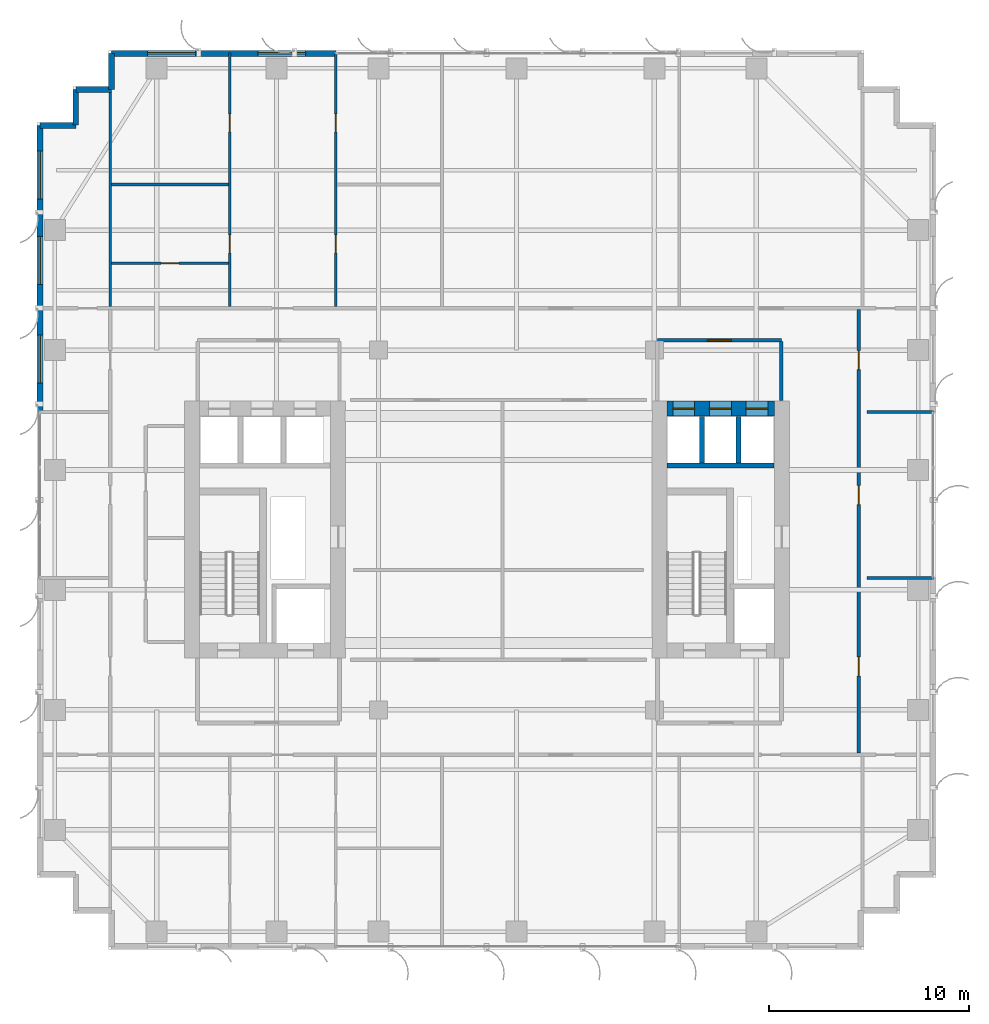
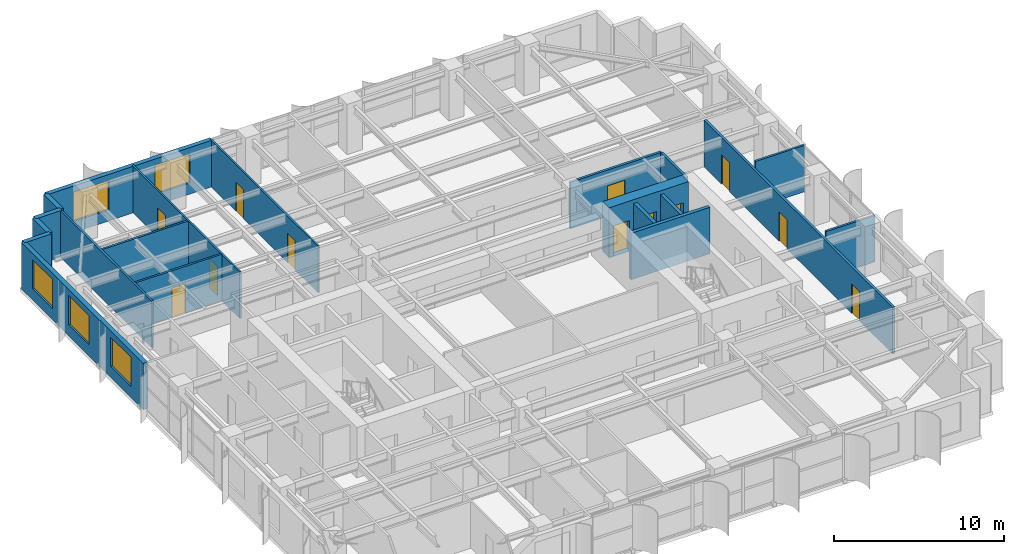
# One storey, part 22 of 26: 20 walls, 12 doors, 5 windows, 17 openings.
"""IFC4 building model written with IfcOpenShell, lengths in metres."""

import ifcopenshell
import ifcopenshell.guid

model = None  # the IFC model being written
_history = None  # IfcOwnerHistory: only IFC2X3 demands one
_inside = {}  # id of a spatial element -> (the spatial element, [elements in it])
_under = {}  # id of a project, library or spatial element -> (it, [spatial elements below it])
_declared = {}  # id of a project -> (the project, [libraries it declares])
_typed = {}  # id of a type object -> (the type object, [elements of that type])
_made_of = {}  # id of a material, layer set ... -> (it, [elements and type objects made of it])


def new_model(schema):
    """Start an empty IFC model of exactly this schema.

    Asked for "IFC4X3", IfcOpenShell would pick the latest addendum, in which some entities
    have other attributes; the version numbers below select the first issue.
    IFC2X3 requires an IfcOwnerHistory on every rooted entity: one is made here for all.
    """
    global model, _history
    if schema == "IFC4X3":
        model = ifcopenshell.file(schema_version=(4, 3, 0, 0))
    else:
        model = ifcopenshell.file(schema=schema)
    _inside.clear()
    _under.clear()
    _declared.clear()
    _typed.clear()
    _made_of.clear()
    _history = None
    if model.schema == "IFC2X3":
        org = make("IfcOrganization", Name="unknown")
        user = make(
            "IfcPersonAndOrganization",
            ThePerson=make("IfcPerson", FamilyName="unknown"),
            TheOrganization=org,
        )
        app = make(
            "IfcApplication",
            ApplicationDeveloper=org,
            Version="unknown",
            ApplicationFullName="unknown",
            ApplicationIdentifier="unknown",
        )
        _history = make(
            "IfcOwnerHistory",
            OwningUser=user,
            OwningApplication=app,
            ChangeAction="ADDED",
            CreationDate=0,
        )
    return model


def make(cls, **values):
    """One entity of the class cls with the attributes given. An attribute that is None is left unset."""
    return model.create_entity(
        cls, **{name: value for name, value in values.items() if value is not None}
    )


def rooted(cls, **values):
    """An entity with a GlobalId (a new one), such as an element, a storey or a relation."""
    return make(cls, GlobalId=ifcopenshell.guid.new(), OwnerHistory=_history, **values)


def si_unit(unit_type, name, prefix=None):
    """IfcSIUnit, for example si_unit("LENGTHUNIT", "METRE", prefix="MILLI")."""
    return make("IfcSIUnit", UnitType=unit_type, Prefix=prefix, Name=name)


def assignment(units):
    """IfcUnitAssignment: the units of a project."""
    return None if units is None else make("IfcUnitAssignment", Units=units)


def point(xyz):
    """IfcCartesianPoint."""
    return None if xyz is None else make("IfcCartesianPoint", Coordinates=xyz)


def direction(xyz):
    """IfcDirection."""
    return None if xyz is None else make("IfcDirection", DirectionRatios=xyz)


def frame(location, z_axis=None, x_axis=None):
    """IfcAxis2Placement3D, a coordinate frame: its origin and axes. An axis left out is left unset."""
    return make(
        "IfcAxis2Placement3D",
        Location=point(location),
        Axis=direction(z_axis),
        RefDirection=direction(x_axis),
    )


def frame_2d(location, x_axis=None):
    """IfcAxis2Placement2D, a coordinate frame in the plane: its origin and x axis."""
    return make(
        "IfcAxis2Placement2D", Location=point(location), RefDirection=direction(x_axis)
    )


def origin():
    """The frame at (0, 0, 0) with its axes left unset."""
    return frame((0.0, 0.0, 0.0))


def place(relative_to, where):
    """IfcLocalPlacement: puts the frame where relative to a parent placement (None: the world)."""
    return make(
        "IfcLocalPlacement", PlacementRelTo=relative_to, RelativePlacement=where
    )


def context(
    kind, dimensions, precision=None, world=None, true_north=None, identifier=None
):
    """IfcGeometricRepresentationContext, for example the 3D "Model" context."""
    return make(
        "IfcGeometricRepresentationContext",
        ContextIdentifier=identifier,
        ContextType=kind,
        CoordinateSpaceDimension=dimensions,
        Precision=precision,
        WorldCoordinateSystem=world,
        TrueNorth=true_north,
    )


def subcontext(parent, identifier, kind, view, scale=None):
    """IfcGeometricRepresentationSubContext, for example "Body" below "Model"."""
    return make(
        "IfcGeometricRepresentationSubContext",
        ContextIdentifier=identifier,
        ContextType=kind,
        ParentContext=parent,
        TargetScale=scale,
        TargetView=view,
    )


def project(units=None, contexts=None):
    """IfcProject with its units and contexts."""
    return rooted(
        "IfcProject",
        Name="project",
        RepresentationContexts=contexts,
        UnitsInContext=assignment(units),
    )


def spatial(cls, under=None, at=None, **own):
    """A site, building, storey or space (cls), placed at a placement, below another one or the project."""
    s = rooted(cls, ObjectPlacement=at, **own)
    if under is not None:
        _under.setdefault(under.id(), (under, []))[1].append(s)
    return s


def profile(cls, at=None, kind="AREA", **sizes):
    """A parametric profile (cls). Its sizes go by their IFC names, for example OverallWidth=200.0."""
    return make(cls, ProfileType=kind, Position=at, **sizes)


def rectangle(**sizes):
    """IfcRectangleProfileDef."""
    return profile("IfcRectangleProfileDef", **sizes)


def extrude(swept, where, along, depth):
    """IfcExtrudedAreaSolid: the profile swept, set in the frame where, extruded along a direction by depth."""
    return make(
        "IfcExtrudedAreaSolid",
        SweptArea=swept,
        Position=where,
        ExtrudedDirection=direction(along),
        Depth=depth,
    )


def shape(context_of_items, identifier, shape_type, items):
    """IfcShapeRepresentation: the items that make up one representation, for example the "Body"."""
    return make(
        "IfcShapeRepresentation",
        ContextOfItems=context_of_items,
        RepresentationIdentifier=identifier,
        RepresentationType=shape_type,
        Items=items,
    )


def source(mapping_origin, context_of_items, identifier, shape_type, items):
    """IfcRepresentationMap: a shape defined once, which mapped items show again and again."""
    return make(
        "IfcRepresentationMap",
        MappingOrigin=mapping_origin,
        MappedRepresentation=shape(context_of_items, identifier, shape_type, items),
    )


def transform(
    local_origin,
    x_axis=None,
    y_axis=None,
    z_axis=None,
    scale=None,
    scale2=None,
    scale3=None,
    uniform=True,
):
    """IfcCartesianTransformationOperator3D, or its non-uniform kind. x_axis, y_axis, z_axis: its Axis1, 2, 3."""
    if uniform:
        return make(
            "IfcCartesianTransformationOperator3D",
            Axis1=direction(x_axis),
            Axis2=direction(y_axis),
            LocalOrigin=point(local_origin),
            Scale=scale,
            Axis3=direction(z_axis),
        )
    return make(
        "IfcCartesianTransformationOperator3DnonUniform",
        Axis1=direction(x_axis),
        Axis2=direction(y_axis),
        LocalOrigin=point(local_origin),
        Scale=scale,
        Axis3=direction(z_axis),
        Scale2=scale2,
        Scale3=scale3,
    )


def mapped(mapping_source, mapping_target):
    """IfcMappedItem: shows the shape of a source again, moved by a transform."""
    return make(
        "IfcMappedItem", MappingSource=mapping_source, MappingTarget=mapping_target
    )


def material(Name=None, Category=None):
    """IfcMaterial."""
    return make("IfcMaterial", Name=Name, Category=Category)


def layer(
    of_material, thickness, ventilated=None, Name=None, Category=None, Priority=None
):
    """IfcMaterialLayer: one layer of a wall or slab, of a material (None: an air gap)."""
    return make(
        "IfcMaterialLayer",
        Material=of_material,
        LayerThickness=thickness,
        IsVentilated=ventilated,
        Name=Name,
        Category=Category,
        Priority=Priority,
    )


def layer_set(layers, Name=None):
    """IfcMaterialLayerSet."""
    return make("IfcMaterialLayerSet", MaterialLayers=layers, LayerSetName=Name)


def made_of(thing, what):
    """Note that an element or type object is made of a material, layer set ...; save() writes the relation."""
    if what is not None:
        _made_of.setdefault(what.id(), (what, []))[1].append(thing)
    return thing


def type_object(cls, material=None, **own):
    """A type object (cls), such as IfcWallType, which elements share."""
    return made_of(rooted(cls, **own), material)


def element(
    cls,
    number,
    at=None,
    inside=None,
    cuts=None,
    type_object=None,
    material=None,
    context=None,
    identifier="Body",
    shape_type=None,
    held_by="IfcProductDefinitionShape",
    body=None,
    shapes=None,
    **own,
):
    """One element of the class cls, such as IfcWall. Its Tag is "e" and its number.

    at: its placement. inside: the storey or other place that contains it. cuts: it is an
    opening in that element (IfcRelVoidsElement). A single representation is given by context,
    identifier, shape_type and body (its items); several are given by shapes. held_by: the class
    of the entity that holds the representations. save() writes the other relations.
    """
    e = rooted(cls, Tag="e%d" % number, ObjectPlacement=at, **own)
    if body is not None:
        shapes = [shape(context, identifier, shape_type, body)]
    if shapes is not None:
        e.Representation = make(held_by, Representations=shapes)
    if inside is not None:
        _inside.setdefault(inside.id(), (inside, []))[1].append(e)
    if cuts is not None:
        rooted(
            "IfcRelVoidsElement", RelatingBuildingElement=cuts, RelatedOpeningElement=e
        )
    if type_object is not None:
        _typed.setdefault(type_object.id(), (type_object, []))[1].append(e)
    return made_of(e, material)


def fill(opening, filler):
    """IfcRelFillsElement: the door or window that sits in an opening."""
    return rooted(
        "IfcRelFillsElement",
        RelatingOpeningElement=opening,
        RelatedBuildingElement=filler,
    )


def aggregate(whole, parts):
    """IfcRelAggregates: a whole, such as a stair, and the parts it consists of."""
    return rooted("IfcRelAggregates", RelatingObject=whole, RelatedObjects=parts)


def save(model, path):
    """Write the relations noted so far, then the file.

    IfcRelAggregates (storeys below a building ...), IfcRelContainedInSpatialStructure (elements
    in a storey), IfcRelDefinesByType, IfcRelAssociatesMaterial and IfcRelDeclares: one each for
    every whole, place, type object, material and project.
    """
    for whole, parts in _under.values():
        aggregate(whole, parts)
    for where, things in _inside.values():
        rooted(
            "IfcRelContainedInSpatialStructure",
            RelatedElements=things,
            RelatingStructure=where,
        )
    for kind, things in _typed.values():
        rooted("IfcRelDefinesByType", RelatedObjects=things, RelatingType=kind)
    for what, things in _made_of.values():
        rooted("IfcRelAssociatesMaterial", RelatedObjects=things, RelatingMaterial=what)
    for by, libraries in _declared.values():
        rooted("IfcRelDeclares", RelatingContext=by, RelatedDefinitions=libraries)
    model.write(path)


model = new_model("IFC4")

# Units and contexts
model_context = context("Model", 3, precision=1e-05, world=origin(), true_north=direction((0.0, 1.0)))
body_context = subcontext(model_context, "Body", "Model", "MODEL_VIEW")
ifc_project = project(units=[si_unit("LENGTHUNIT", "METRE"), si_unit("AREAUNIT", "SQUARE_METRE"), si_unit("VOLUMEUNIT", "CUBIC_METRE"), si_unit("PLANEANGLEUNIT", "RADIAN"), si_unit("MASSUNIT", "GRAM", prefix="KILO")], contexts=[model_context])

# Site, building, storey
site_placement = place(None, origin())
site = spatial("IfcSite", under=ifc_project, at=site_placement, CompositionType="ELEMENT")
building_placement = place(site_placement, origin())
building = spatial("IfcBuilding", under=site, at=building_placement, Name="Khoralis Quay Care Tower", CompositionType="ELEMENT")
storey_placement = place(building_placement, frame((0.0, 0.0, 126.89990234375)))
storey = spatial("IfcBuildingStorey", under=building, at=storey_placement, Name="L33", CompositionType="ELEMENT", Elevation=126.89990234375)

# Wall, openings, doors
ifc_material_1 = material(Name="Concrete C80/95", Category="concrete")
ifc_layer_1 = layer(ifc_material_1, 0.75)
ifc_layer_set_1 = layer_set([ifc_layer_1], Name="Concrete C80/95")
wall_type_1 = type_object("IfcWallType", Name="WL-CORE-750", PredefinedType="SHEAR", material=ifc_layer_set_1)
wall_1_placement = place(storey_placement, frame((31.52001953125, 27.074951171875, 0.0), z_axis=(0.0, 0.0, 1.0), x_axis=(1.0, 0.0, 0.0)))
wall_1 = element("IfcWall", 1, at=wall_1_placement, inside=storey, type_object=wall_type_1, Name="L33 ECORE North Shear Wall", PredefinedType="SHEAR", context=body_context, shape_type="SweptSolid", body=[
    extrude(rectangle(XDim=5.3798828125, YDim=0.75, at=frame_2d((2.68994140625, 0.0))), origin(), (0.0, 0.0, 1.0), 3.60009765625),
])
opening_1_placement = place(wall_1_placement, frame((0.300048828125, 0.0, 0.0)))
opening_1 = element("IfcOpeningElement", 2, at=opening_1_placement, cuts=wall_1, Name="Opening LD1", PredefinedType="OPENING", context=body_context, shape_type="SweptSolid", body=[
    extrude(rectangle(XDim=1.10009765625, YDim=2.199951171875, at=frame_2d((0.550048828125, 1.10009765625))), frame((0.0, 0.385009765625, 0.0), z_axis=(0.0, -1.0, 0.0), x_axis=(1.0, 0.0, 0.0)), (0.0, 0.0, 1.0), 0.77001953125),
])
opening_2_placement = place(wall_1_placement, frame((2.1298828125, 0.0, 0.0)))
opening_2 = element("IfcOpeningElement", 3, at=opening_2_placement, cuts=wall_1, Name="Opening LD1", PredefinedType="OPENING", context=body_context, shape_type="SweptSolid", body=[
    extrude(rectangle(XDim=1.10009765625, YDim=2.199951171875, at=frame_2d((0.550048828125, 1.10009765625))), frame((0.0, 0.385009765625, 0.0), z_axis=(0.0, -1.0, 0.0), x_axis=(1.0, 0.0, 0.0)), (0.0, 0.0, 1.0), 0.77001953125),
])
opening_3_placement = place(wall_1_placement, frame((3.9599609375, 0.0, 0.0)))
opening_3 = element("IfcOpeningElement", 4, at=opening_3_placement, cuts=wall_1, Name="Opening LD1", PredefinedType="OPENING", context=body_context, shape_type="SweptSolid", body=[
    extrude(rectangle(XDim=1.10009765625, YDim=2.199951171875, at=frame_2d((0.550048828125, 1.10009765625))), frame((0.0, 0.385009765625, 0.0), z_axis=(0.0, -1.0, 0.0), x_axis=(1.0, 0.0, 0.0)), (0.0, 0.0, 1.0), 0.77001953125),
])
ifc_material_2 = material(Name="Brushed stainless steel", Category="steel")
door_type_1 = type_object("IfcDoorType", Name="DR-LIFT-1100X2200", OperationType="SLIDING_TO_LEFT", PredefinedType="DOOR", material=ifc_material_2)
shared_shape_1 = source(origin(), body_context, "Body", "SweptSolid", [
    extrude(rectangle(XDim=1.10009765625, YDim=2.199951171875, at=frame_2d((0.550048828125, 1.10009765625))), frame((0.0, 0.02490234375, 0.0), z_axis=(0.0, -1.0, 0.0), x_axis=(1.0, 0.0, 0.0)), (0.0, 0.0, 1.0), 0.050048828125),
])
door_1_placement = place(opening_1_placement, origin())
door_1 = element("IfcDoor", 5, at=door_1_placement, inside=storey, type_object=door_type_1, Name="L33 Lift PLL2 Landing Door", OperationType="SLIDING_TO_LEFT", OverallHeight=2.199951171875, OverallWidth=1.10009765625, PredefinedType="DOOR", context=body_context, shape_type="MappedRepresentation", body=[
    mapped(shared_shape_1, transform((0.0, 0.0, 0.0), scale=1.0)),
])
fill(opening_1, door_1)
door_2_placement = place(opening_2_placement, origin())
door_2 = element("IfcDoor", 6, at=door_2_placement, inside=storey, type_object=door_type_1, Name="L33 Lift PLM2 Landing Door", OperationType="SLIDING_TO_LEFT", OverallHeight=2.199951171875, OverallWidth=1.10009765625, PredefinedType="DOOR", context=body_context, shape_type="MappedRepresentation", body=[
    mapped(shared_shape_1, transform((0.0, 0.0, 0.0), scale=1.0)),
])
fill(opening_2, door_2)
door_3_placement = place(opening_3_placement, origin())
door_3 = element("IfcDoor", 7, at=door_3_placement, inside=storey, type_object=door_type_1, Name="L33 Lift PLH2 Landing Door", OperationType="SLIDING_TO_LEFT", OverallHeight=2.199951171875, OverallWidth=1.10009765625, PredefinedType="DOOR", context=body_context, shape_type="MappedRepresentation", body=[
    mapped(shared_shape_1, transform((0.0, 0.0, 0.0), scale=1.0)),
])
fill(opening_3, door_3)

# Wall, opening, door
ifc_material_3 = material(Name="Gypsum plasterboard on acoustic metal stud")
ifc_layer_2 = layer(ifc_material_3, 0.1650390625)
ifc_layer_set_2 = layer_set([ifc_layer_2], Name="Gypsum plasterboard on acoustic metal stud")
wall_type_2 = type_object("IfcWallType", Name="WL-CORR-165", PredefinedType="PARTITIONING", material=ifc_layer_set_2)
wall_2_placement = place(storey_placement, frame((31.050048828125, 30.5, 0.0), z_axis=(0.0, 0.0, 1.0), x_axis=(1.0, 0.0, 0.0)))
wall_2 = element("IfcWall", 8, at=wall_2_placement, inside=storey, type_object=wall_type_2, Name="L33 East Lift Lobby North Wall", PredefinedType="PARTITIONING", context=body_context, shape_type="SweptSolid", body=[
    extrude(rectangle(XDim=6.199951171875, YDim=0.1650390625, at=frame_2d((3.10009765625, 0.0))), origin(), (0.0, 0.0, 1.0), 3.340087890625),
])
opening_4_placement = place(wall_2_placement, frame((2.5, 0.0, 0.0)))
opening_4 = element("IfcOpeningElement", 9, at=opening_4_placement, cuts=wall_2, Name="Opening FD1", PredefinedType="OPENING", context=body_context, shape_type="SweptSolid", body=[
    extrude(rectangle(XDim=1.199951171875, YDim=2.199951171875, at=frame_2d((0.60009765625, 1.10009765625))), frame((0.0, 0.092529296875, 0.0), z_axis=(0.0, -1.0, 0.0), x_axis=(1.0, 0.0, 0.0)), (0.0, 0.0, 1.0), 0.18505859375),
])
ifc_material_4 = material(Name="Fire-rated painted steel", Category="steel")
door_type_2 = type_object("IfcDoorType", Name="DR-FFL-1200X2200", OperationType="NOTDEFINED", PredefinedType="DOOR", material=ifc_material_4)
shared_shape_2 = source(origin(), body_context, "Body", "SweptSolid", [
    extrude(rectangle(XDim=1.199951171875, YDim=2.199951171875, at=frame_2d((0.60009765625, 1.10009765625))), frame((0.0, 0.02490234375, 0.0), z_axis=(0.0, -1.0, 0.0), x_axis=(1.0, 0.0, 0.0)), (0.0, 0.0, 1.0), 0.050048828125),
])
door_4_placement = place(opening_4_placement, origin())
door_4 = element("IfcDoor", 10, at=door_4_placement, inside=storey, type_object=door_type_2, Name="L33 East Lift Lobby Double Door", OperationType="DOUBLE_DOOR_SINGLE_SWING", OverallHeight=2.199951171875, OverallWidth=1.199951171875, PredefinedType="DOOR", context=body_context, shape_type="MappedRepresentation", body=[
    mapped(shared_shape_2, transform((0.0, 0.0, 0.0), scale=1.0)),
])
fill(opening_4, door_4)

# Wall
wall_3_placement = place(storey_placement, frame((37.25, 27.469970703125, 0.0), z_axis=(0.0, 0.0, 1.0), x_axis=(0.0, 1.0, 0.0)))
element("IfcWall", 11, at=wall_3_placement, inside=storey, type_object=wall_type_2, Name="L33 East Lift Lobby East Wall", PredefinedType="PARTITIONING", context=body_context, shape_type="SweptSolid", body=[
    extrude(rectangle(XDim=2.95263671875, YDim=0.1650390625, at=frame_2d((1.476318359375, 0.0))), origin(), (0.0, 0.0, 1.0), 3.340087890625),
])

# Wall, openings, doors
wall_4_placement = place(storey_placement, frame((41.1201171875, 9.83740234375, 0.0), z_axis=(0.0, 0.0, 1.0), x_axis=(0.0, 1.0, 0.0)))
wall_4 = element("IfcWall", 12, at=wall_4_placement, inside=storey, type_object=wall_type_2, Name="L33 East Loop Corridor Wall", PredefinedType="PARTITIONING", context=body_context, shape_type="SweptSolid", body=[
    extrude(rectangle(XDim=22.18505859375, YDim=0.1650390625, at=frame_2d((11.092529296875, 0.0))), origin(), (0.0, 0.0, 1.0), 3.340087890625),
])
opening_5_placement = place(wall_4_placement, frame((3.867431640625, 0.0, 0.0)))
opening_5 = element("IfcOpeningElement", 13, at=opening_5_placement, cuts=wall_4, Name="Opening ID1", PredefinedType="OPENING", context=body_context, shape_type="SweptSolid", body=[
    extrude(rectangle(XDim=0.949951171875, YDim=2.10009765625, at=frame_2d((0.47509765625, 1.050048828125))), frame((0.0, 0.092529296875, 0.0), z_axis=(0.0, -1.0, 0.0), x_axis=(1.0, 0.0, 0.0)), (0.0, 0.0, 1.0), 0.18505859375),
])
opening_6_placement = place(wall_4_placement, frame((12.4375, 0.0, 0.0)))
opening_6 = element("IfcOpeningElement", 14, at=opening_6_placement, cuts=wall_4, Name="Opening ID1", PredefinedType="OPENING", context=body_context, shape_type="SweptSolid", body=[
    extrude(rectangle(XDim=0.949951171875, YDim=2.10009765625, at=frame_2d((0.47509765625, 1.050048828125))), frame((0.0, 0.092529296875, 0.0), z_axis=(0.0, -1.0, 0.0), x_axis=(1.0, 0.0, 0.0)), (0.0, 0.0, 1.0), 0.18505859375),
])
opening_7_placement = place(wall_4_placement, frame((19.1875, 0.0, 0.0)))
opening_7 = element("IfcOpeningElement", 15, at=opening_7_placement, cuts=wall_4, Name="Opening ID1", PredefinedType="OPENING", context=body_context, shape_type="SweptSolid", body=[
    extrude(rectangle(XDim=0.949951171875, YDim=2.10009765625, at=frame_2d((0.47509765625, 1.050048828125))), frame((0.0, 0.092529296875, 0.0), z_axis=(0.0, -1.0, 0.0), x_axis=(1.0, 0.0, 0.0)), (0.0, 0.0, 1.0), 0.18505859375),
])
ifc_material_5 = material(Name="Acoustic hardwood timber", Category="wood")
door_type_3 = type_object("IfcDoorType", Name="DR-ROOM-950X2100", OperationType="NOTDEFINED", PredefinedType="DOOR", material=ifc_material_5)
shared_shape_3 = source(origin(), body_context, "Body", "SweptSolid", [
    extrude(rectangle(XDim=0.949951171875, YDim=2.10009765625, at=frame_2d((0.47509765625, 1.050048828125))), frame((0.0, 0.02490234375, 0.0), z_axis=(0.0, -1.0, 0.0), x_axis=(1.0, 0.0, 0.0)), (0.0, 0.0, 1.0), 0.050048828125),
])
door_5_placement = place(opening_5_placement, frame((0.949951171875, 0.0, 0.0), z_axis=(0.0, 0.0, 1.0), x_axis=(-1.0, 0.0, 0.0)))
door_5 = element("IfcDoor", 16, at=door_5_placement, inside=storey, type_object=door_type_3, Name="L33 Therapy Consultation Room Door", OperationType="SINGLE_SWING_LEFT", OverallHeight=2.10009765625, OverallWidth=0.949951171875, PredefinedType="DOOR", context=body_context, shape_type="MappedRepresentation", body=[
    mapped(shared_shape_3, transform((0.0, 0.0, 0.0), scale=1.0)),
])
fill(opening_5, door_5)
door_6_placement = place(opening_6_placement, frame((0.949951171875, 0.0, 0.0), z_axis=(0.0, 0.0, 1.0), x_axis=(-1.0, 0.0, 0.0)))
door_6 = element("IfcDoor", 17, at=door_6_placement, inside=storey, type_object=door_type_3, Name="L33 Assisted Activity Lounge Door", OperationType="SINGLE_SWING_RIGHT", OverallHeight=2.10009765625, OverallWidth=0.949951171875, PredefinedType="DOOR", context=body_context, shape_type="MappedRepresentation", body=[
    mapped(shared_shape_3, transform((0.0, 0.0, 0.0), scale=1.0)),
])
fill(opening_6, door_6)
door_7_placement = place(opening_7_placement, frame((0.949951171875, 0.0, 0.0), z_axis=(0.0, 0.0, 1.0), x_axis=(-1.0, 0.0, 0.0)))
door_7 = element("IfcDoor", 18, at=door_7_placement, inside=storey, type_object=door_type_3, Name="L33 Nurse Charting Office Door", OperationType="SINGLE_SWING_LEFT", OverallHeight=2.10009765625, OverallWidth=0.949951171875, PredefinedType="DOOR", context=body_context, shape_type="MappedRepresentation", body=[
    mapped(shared_shape_3, transform((0.0, 0.0, 0.0), scale=1.0)),
])
fill(opening_7, door_7)

# Wall, openings, windows
ifc_material_6 = material(Name="Precast concrete C45/55", Category="concrete")
ifc_layer_3 = layer(ifc_material_6, 0.300048828125)
ifc_layer_set_3 = layer_set([ifc_layer_3], Name="Precast concrete C45/55")
wall_type_3 = type_object("IfcWallType", Name="WL-EXT-REF-300", PredefinedType="SOLIDWALL", material=ifc_layer_set_3)
wall_5_placement = place(storey_placement, frame((14.9609375, 44.85009765625, 0.0), z_axis=(0.0, 0.0, 1.0), x_axis=(-1.0, 0.0, 0.0)))
wall_5 = element("IfcWall", 19, at=wall_5_placement, inside=storey, type_object=wall_type_3, Name="L33 External Facade Wall WL-EXT-L33-P1-E10B", PredefinedType="SOLIDWALL", context=body_context, shape_type="SweptSolid", body=[
    extrude(rectangle(XDim=11.2109375, YDim=0.300048828125, at=frame_2d((5.60546875, 0.0))), origin(), (0.0, 0.0, 1.0), 3.340087890625),
])
opening_8_placement = place(wall_5_placement, frame((1.50439453125, 0.0, 0.800048828125)))
opening_8 = element("IfcOpeningElement", 20, at=opening_8_placement, cuts=wall_5, Name="Opening W1", PredefinedType="OPENING", context=body_context, shape_type="SweptSolid", body=[
    extrude(rectangle(XDim=2.39990234375, YDim=2.10009765625, at=frame_2d((1.199951171875, 1.050048828125))), frame((0.0, 0.16015625, 0.0), z_axis=(0.0, -1.0, 0.0), x_axis=(1.0, 0.0, 0.0)), (0.0, 0.0, 1.0), 0.320068359375),
])
opening_9_placement = place(wall_5_placement, frame((7.010009765625, 0.0, 0.800048828125)))
opening_9 = element("IfcOpeningElement", 21, at=opening_9_placement, cuts=wall_5, Name="Opening W1", PredefinedType="OPENING", context=body_context, shape_type="SweptSolid", body=[
    extrude(rectangle(XDim=2.39990234375, YDim=2.10009765625, at=frame_2d((1.199951171875, 1.050048828125))), frame((0.0, 0.16015625, 0.0), z_axis=(0.0, -1.0, 0.0), x_axis=(1.0, 0.0, 0.0)), (0.0, 0.0, 1.0), 0.320068359375),
])
ifc_material_7 = material(Name="Low-E solar-control double glazing", Category="glass")
window_type = type_object("IfcWindowType", Name="WN-POD-2400X2100", PartitioningType="SINGLE_PANEL", PredefinedType="WINDOW", material=ifc_material_7)
shared_shape_4 = source(origin(), body_context, "Body", "SweptSolid", [
    extrude(rectangle(XDim=2.39990234375, YDim=2.10009765625, at=frame_2d((1.199951171875, 1.050048828125))), frame((0.0, 0.030029296875, 0.0), z_axis=(0.0, -1.0, 0.0), x_axis=(1.0, 0.0, 0.0)), (0.0, 0.0, 1.0), 0.06005859375),
])
window_1_placement = place(opening_8_placement, origin())
window_1 = element("IfcWindow", 22, at=window_1_placement, inside=storey, type_object=window_type, Name="WN-L33-P1-E10B Facade Window 01", OverallHeight=2.10009765625, OverallWidth=2.39990234375, PartitioningType="SINGLE_PANEL", PredefinedType="WINDOW", context=body_context, shape_type="MappedRepresentation", body=[
    mapped(shared_shape_4, transform((0.0, 0.0, 0.0), scale=1.0)),
])
fill(opening_8, window_1)
window_2_placement = place(opening_9_placement, origin())
window_2 = element("IfcWindow", 23, at=window_2_placement, inside=storey, type_object=window_type, Name="WN-L33-P1-E10B Facade Window 02", OverallHeight=2.10009765625, OverallWidth=2.39990234375, PartitioningType="SINGLE_PANEL", PredefinedType="WINDOW", context=body_context, shape_type="MappedRepresentation", body=[
    mapped(shared_shape_4, transform((0.0, 0.0, 0.0), scale=1.0)),
])
fill(opening_9, window_2)

# Walls
for number, where, z_axis, x_axis, name in (
    (24, (3.75, 44.85009765625, 0.0), (0.0, 0.0, 1.0), (0.0, -1.0, 0.0), "L33 External Facade Wall WL-EXT-L33-P1-C11"),
    (25, (3.75, 43.050048828125, 0.0), (0.0, 0.0, 1.0), (-1.0, 0.0, 0.0), "L33 External Facade Wall WL-EXT-L33-P1-C12"),
    (26, (1.949951171875, 43.050048828125, 0.0), (0.0, 0.0, 1.0), (0.0, -1.0, 0.0), "L33 External Facade Wall WL-EXT-L33-P1-C13"),
    (27, (1.949951171875, 41.25, 0.0), (0.0, 0.0, 1.0), (-1.0, 0.0, 0.0), "L33 External Facade Wall WL-EXT-L33-P1-C14"),
):
    element("IfcWall", number, at=place(storey_placement, frame(where, z_axis=z_axis, x_axis=x_axis)), inside=storey, type_object=wall_type_3, Name=name, PredefinedType="SOLIDWALL", context=body_context, shape_type="SweptSolid", body=[
        extrude(rectangle(XDim=1.800048828125, YDim=0.300048828125, at=frame_2d((0.89990234375, 0.0))), origin(), (0.0, 0.0, 1.0), 3.340087890625),
    ])

# Wall, openings, windows
wall_6_placement = place(storey_placement, frame((0.14990234375, 41.25, 0.0), z_axis=(0.0, 0.0, 1.0), x_axis=(0.0, -1.0, 0.0)))
wall_6 = element("IfcWall", 28, at=wall_6_placement, inside=storey, type_object=wall_type_3, Name="L33 External Facade Wall WL-EXT-L33-P1-E15A", PredefinedType="SOLIDWALL", context=body_context, shape_type="SweptSolid", body=[
    extrude(rectangle(XDim=14.35009765625, YDim=0.300048828125, at=frame_2d((7.175048828125, 0.0))), origin(), (0.0, 0.0, 1.0), 3.340087890625),
])
opening_10_placement = place(wall_6_placement, frame((1.29248046875, 0.0, 0.800048828125)))
opening_10 = element("IfcOpeningElement", 29, at=opening_10_placement, cuts=wall_6, Name="Opening W1", PredefinedType="OPENING", context=body_context, shape_type="SweptSolid", body=[
    extrude(rectangle(XDim=2.39990234375, YDim=2.10009765625, at=frame_2d((1.199951171875, 1.050048828125))), frame((0.0, 0.16015625, 0.0), z_axis=(0.0, -1.0, 0.0), x_axis=(1.0, 0.0, 0.0)), (0.0, 0.0, 1.0), 0.320068359375),
])
opening_11_placement = place(wall_6_placement, frame((5.5576171875, 0.0, 0.800048828125)))
opening_11 = element("IfcOpeningElement", 30, at=opening_11_placement, cuts=wall_6, Name="Opening W1", PredefinedType="OPENING", context=body_context, shape_type="SweptSolid", body=[
    extrude(rectangle(XDim=2.39990234375, YDim=2.10009765625, at=frame_2d((1.199951171875, 1.050048828125))), frame((0.0, 0.16015625, 0.0), z_axis=(0.0, -1.0, 0.0), x_axis=(1.0, 0.0, 0.0)), (0.0, 0.0, 1.0), 0.320068359375),
])
opening_12_placement = place(wall_6_placement, frame((10.5, 0.0, 0.800048828125)))
opening_12 = element("IfcOpeningElement", 31, at=opening_12_placement, cuts=wall_6, Name="Opening W1", PredefinedType="OPENING", context=body_context, shape_type="SweptSolid", body=[
    extrude(rectangle(XDim=2.39990234375, YDim=2.10009765625, at=frame_2d((1.199951171875, 1.050048828125))), frame((0.0, 0.16015625, 0.0), z_axis=(0.0, -1.0, 0.0), x_axis=(1.0, 0.0, 0.0)), (0.0, 0.0, 1.0), 0.320068359375),
])
window_3_placement = place(opening_10_placement, origin())
window_3 = element("IfcWindow", 32, at=window_3_placement, inside=storey, type_object=window_type, Name="WN-L33-P1-E15A Facade Window 01", OverallHeight=2.10009765625, OverallWidth=2.39990234375, PartitioningType="SINGLE_PANEL", PredefinedType="WINDOW", context=body_context, shape_type="MappedRepresentation", body=[
    mapped(shared_shape_4, transform((0.0, 0.0, 0.0), scale=1.0)),
])
fill(opening_10, window_3)
window_4_placement = place(opening_11_placement, origin())
window_4 = element("IfcWindow", 33, at=window_4_placement, inside=storey, type_object=window_type, Name="WN-L33-P1-E15A Facade Window 02", OverallHeight=2.10009765625, OverallWidth=2.39990234375, PartitioningType="SINGLE_PANEL", PredefinedType="WINDOW", context=body_context, shape_type="MappedRepresentation", body=[
    mapped(shared_shape_4, transform((0.0, 0.0, 0.0), scale=1.0)),
])
fill(opening_11, window_4)
window_5_placement = place(opening_12_placement, origin())
window_5 = element("IfcWindow", 34, at=window_5_placement, inside=storey, type_object=window_type, Name="WN-L33-P1-E15A Facade Window 03", OverallHeight=2.10009765625, OverallWidth=2.39990234375, PartitioningType="SINGLE_PANEL", PredefinedType="WINDOW", context=body_context, shape_type="MappedRepresentation", body=[
    mapped(shared_shape_4, transform((0.0, 0.0, 0.0), scale=1.0)),
])
fill(opening_12, window_5)

# Wall, openings, doors
ifc_layer_4 = layer(ifc_material_3, 0.114990234375)
ifc_layer_set_4 = layer_set([ifc_layer_4], Name="Gypsum plasterboard on acoustic metal stud")
wall_type_4 = type_object("IfcWallType", Name="WL-PART-115", PredefinedType="PARTITIONING", material=ifc_layer_set_4)
wall_7_placement = place(storey_placement, frame((9.652099609375, 32.177490234375, 0.0), z_axis=(0.0, 0.0, 1.0), x_axis=(0.0, 1.0, 0.0)))
wall_7 = element("IfcWall", 35, at=wall_7_placement, inside=storey, type_object=wall_type_4, Name="L33 2BR 0 Left Wall", PredefinedType="PARTITIONING", context=body_context, shape_type="SweptSolid", body=[
    extrude(rectangle(XDim=12.677490234375, YDim=0.114990234375, at=frame_2d((6.3388671875, 0.0))), origin(), (0.0, 0.0, 1.0), 3.340087890625),
])
opening_13_placement = place(wall_7_placement, frame((8.743408203125, 0.0, 0.0)))
opening_13 = element("IfcOpeningElement", 36, at=opening_13_placement, cuts=wall_7, Name="Opening WD1", PredefinedType="OPENING", context=body_context, shape_type="SweptSolid", body=[
    extrude(rectangle(XDim=0.89990234375, YDim=2.10009765625, at=frame_2d((0.449951171875, 1.050048828125))), frame((0.0, 0.0673828125, 0.0), z_axis=(0.0, -1.0, 0.0), x_axis=(1.0, 0.0, 0.0)), (0.0, 0.0, 1.0), 0.135009765625),
])
opening_14_placement = place(wall_7_placement, frame((2.68359375, 0.0, 0.0)))
opening_14 = element("IfcOpeningElement", 37, at=opening_14_placement, cuts=wall_7, Name="Opening WD1", PredefinedType="OPENING", context=body_context, shape_type="SweptSolid", body=[
    extrude(rectangle(XDim=0.89990234375, YDim=2.10009765625, at=frame_2d((0.449951171875, 1.050048828125))), frame((0.0, 0.0673828125, 0.0), z_axis=(0.0, -1.0, 0.0), x_axis=(1.0, 0.0, 0.0)), (0.0, 0.0, 1.0), 0.135009765625),
])
door_type_4 = type_object("IfcDoorType", Name="DR-BATH-900X2100", OperationType="NOTDEFINED", PredefinedType="DOOR", material=ifc_material_5)
shared_shape_5 = source(origin(), body_context, "Body", "SweptSolid", [
    extrude(rectangle(XDim=0.89990234375, YDim=2.10009765625, at=frame_2d((0.449951171875, 1.050048828125))), frame((0.0, 0.02490234375, 0.0), z_axis=(0.0, -1.0, 0.0), x_axis=(1.0, 0.0, 0.0)), (0.0, 0.0, 1.0), 0.050048828125),
])
door_8_placement = place(opening_13_placement, origin())
door_8 = element("IfcDoor", 38, at=door_8_placement, inside=storey, type_object=door_type_4, Name="L33 2BR BD1 Door", OperationType="SINGLE_SWING_RIGHT", OverallHeight=2.10009765625, OverallWidth=0.89990234375, PredefinedType="DOOR", context=body_context, shape_type="MappedRepresentation", body=[
    mapped(shared_shape_5, transform((0.0, 0.0, 0.0), scale=1.0)),
])
fill(opening_13, door_8)
door_9_placement = place(opening_14_placement, origin())
door_9 = element("IfcDoor", 39, at=door_9_placement, inside=storey, type_object=door_type_4, Name="L33 2BR BTH Door", OperationType="SINGLE_SWING_LEFT", OverallHeight=2.10009765625, OverallWidth=0.89990234375, PredefinedType="DOOR", context=body_context, shape_type="MappedRepresentation", body=[
    mapped(shared_shape_5, transform((0.0, 0.0, 0.0), scale=1.0)),
])
fill(opening_14, door_9)

wall_8_placement = place(storey_placement, frame((14.9609375, 32.177490234375, 0.0), z_axis=(0.0, 0.0, 1.0), x_axis=(0.0, 1.0, 0.0)))
wall_8 = element("IfcWall", 40, at=wall_8_placement, inside=storey, type_object=wall_type_4, Name="L33 2BR 0 Right Wall", PredefinedType="PARTITIONING", context=body_context, shape_type="SweptSolid", body=[
    extrude(rectangle(XDim=12.677490234375, YDim=0.114990234375, at=frame_2d((6.3388671875, 0.0))), origin(), (0.0, 0.0, 1.0), 3.340087890625),
])
opening_15_placement = place(wall_8_placement, frame((8.743408203125, 0.0, 0.0)))
opening_15 = element("IfcOpeningElement", 41, at=opening_15_placement, cuts=wall_8, Name="Opening WD1", PredefinedType="OPENING", context=body_context, shape_type="SweptSolid", body=[
    extrude(rectangle(XDim=0.89990234375, YDim=2.10009765625, at=frame_2d((0.449951171875, 1.050048828125))), frame((0.0, 0.0673828125, 0.0), z_axis=(0.0, -1.0, 0.0), x_axis=(1.0, 0.0, 0.0)), (0.0, 0.0, 1.0), 0.135009765625),
])
opening_16_placement = place(wall_8_placement, frame((2.68359375, 0.0, 0.0)))
opening_16 = element("IfcOpeningElement", 42, at=opening_16_placement, cuts=wall_8, Name="Opening WD1", PredefinedType="OPENING", context=body_context, shape_type="SweptSolid", body=[
    extrude(rectangle(XDim=0.89990234375, YDim=2.10009765625, at=frame_2d((0.449951171875, 1.050048828125))), frame((0.0, 0.0673828125, 0.0), z_axis=(0.0, -1.0, 0.0), x_axis=(1.0, 0.0, 0.0)), (0.0, 0.0, 1.0), 0.135009765625),
])
door_10_placement = place(opening_15_placement, frame((0.89990234375, 0.0, 0.0), z_axis=(0.0, 0.0, 1.0), x_axis=(-1.0, 0.0, 0.0)))
door_10 = element("IfcDoor", 43, at=door_10_placement, inside=storey, type_object=door_type_4, Name="L33 2BR BD2 Door", OperationType="SINGLE_SWING_RIGHT", OverallHeight=2.10009765625, OverallWidth=0.89990234375, PredefinedType="DOOR", context=body_context, shape_type="MappedRepresentation", body=[
    mapped(shared_shape_5, transform((0.0, 0.0, 0.0), scale=1.0)),
])
fill(opening_15, door_10)
door_11_placement = place(opening_16_placement, frame((0.89990234375, 0.0, 0.0), z_axis=(0.0, 0.0, 1.0), x_axis=(-1.0, 0.0, 0.0)))
door_11 = element("IfcDoor", 44, at=door_11_placement, inside=storey, type_object=door_type_4, Name="L33 2BR KIT Door", OperationType="SINGLE_SWING_LEFT", OverallHeight=2.10009765625, OverallWidth=0.89990234375, PredefinedType="DOOR", context=body_context, shape_type="MappedRepresentation", body=[
    mapped(shared_shape_5, transform((0.0, 0.0, 0.0), scale=1.0)),
])
fill(opening_16, door_11)

# Walls
ifc_material_8 = material(Name="Moisture-resistant gypsum and ceramic tile")
ifc_layer_5 = layer(ifc_material_8, 0.280029296875)
ifc_layer_set_5 = layer_set([ifc_layer_5], Name="Moisture-resistant gypsum and ceramic tile")
wall_type_5 = type_object("IfcWallType", Name="WL-PLUMB-280", PredefinedType="PLUMBINGWALL", material=ifc_layer_set_5)
wall_9_placement = place(storey_placement, frame((3.7451171875, 38.2919921875, 0.0), z_axis=(0.0, 0.0, 1.0), x_axis=(1.0, 0.0, 0.0)))
element("IfcWall", 45, at=wall_9_placement, inside=storey, type_object=wall_type_5, Name="L33 2BR 0 Left Split", PredefinedType="PLUMBINGWALL", context=body_context, shape_type="SweptSolid", body=[
    extrude(rectangle(XDim=5.8544921875, YDim=0.139892578125, at=frame_2d((2.92724609375, 0.0))), origin(), (0.0, 0.0, 1.0), 3.340087890625),
])
ifc_layer_6 = layer(ifc_material_3, 0.239990234375)
ifc_layer_set_6 = layer_set([ifc_layer_6], Name="Gypsum plasterboard on acoustic metal stud")
wall_type_6 = type_object("IfcWallType", Name="WL-SHAFT-240", PredefinedType="PARTITIONING", material=ifc_layer_set_6)
wall_10_placement = place(storey_placement, frame((31.52001953125, 24.22998046875, 0.0), z_axis=(0.0, 0.0, 1.0), x_axis=(1.0, 0.0, 0.0)))
element("IfcWall", 46, at=wall_10_placement, inside=storey, type_object=wall_type_6, Name="L33 East Passenger Shaft South Wall", PredefinedType="PARTITIONING", context=body_context, shape_type="SweptSolid", body=[
    extrude(rectangle(XDim=5.35986328125, YDim=0.239990234375, at=frame_2d((2.679931640625, 0.0))), origin(), (0.0, 0.0, 1.0), 3.340087890625),
])
for number, where, z_axis, x_axis, name in (
    (47, (33.2900390625, 24.344970703125, 0.0), (0.0, 0.0, 1.0), (0.0, 1.0, 0.0), "L33 East Shaft Divider 1"),
    (48, (35.110107421875, 24.344970703125, 0.0), (0.0, 0.0, 1.0), (0.0, 1.0, 0.0), "L33 East Shaft Divider 2"),
):
    element("IfcWall", number, at=place(storey_placement, frame(where, z_axis=z_axis, x_axis=x_axis)), inside=storey, type_object=wall_type_6, Name=name, PredefinedType="PARTITIONING", context=body_context, shape_type="SweptSolid", body=[
        extrude(rectangle(XDim=2.3349609375, YDim=0.239990234375, at=frame_2d((1.16748046875, 0.0))), origin(), (0.0, 0.0, 1.0), 3.340087890625),
    ])
ifc_layer_7 = layer(ifc_material_3, 0.139892578125)
ifc_layer_set_7 = layer_set([ifc_layer_7], Name="Gypsum plasterboard on acoustic metal stud")
wall_type_7 = type_object("IfcWallType", Name="WL-UNIT-140", PredefinedType="PARTITIONING", material=ifc_layer_set_7)
for number, where, z_axis, x_axis, name in (
    (49, (41.5400390625, 18.60009765625, 0.0), (0.0, 0.0, 1.0), (1.0, 0.0, 0.0), "L33 EE Divider 1"),
    (50, (41.5400390625, 26.89990234375, 0.0), (0.0, 0.0, 1.0), (1.0, 0.0, 0.0), "L33 EE Divider 2"),
):
    element("IfcWall", number, at=place(storey_placement, frame(where, z_axis=z_axis, x_axis=x_axis)), inside=storey, type_object=wall_type_7, Name=name, PredefinedType="PARTITIONING", context=body_context, shape_type="SweptSolid", body=[
        extrude(rectangle(XDim=3.31494140625, YDim=0.139892578125, at=frame_2d((1.657470703125, 0.0))), origin(), (0.0, 0.0, 1.0), 3.340087890625),
    ])
wall_11_placement = place(storey_placement, frame((3.679931640625, 32.177490234375, 0.0), z_axis=(0.0, 0.0, 1.0), x_axis=(0.0, 1.0, 0.0)))
element("IfcWall", 51, at=wall_11_placement, inside=storey, type_object=wall_type_7, Name="L33 NB Demising Wall 0", PredefinedType="PARTITIONING", context=body_context, shape_type="SweptSolid", body=[
    extrude(rectangle(XDim=10.87744140625, YDim=0.139892578125, at=frame_2d((5.438720703125, 0.0))), origin(), (0.0, 0.0, 1.0), 3.340087890625),
])

# Wall, opening, door
wall_12_placement = place(storey_placement, frame((3.7451171875, 34.35009765625, 0.0), z_axis=(0.0, 0.0, 1.0), x_axis=(1.0, 0.0, 0.0)))
wall_12 = element("IfcWall", 52, at=wall_12_placement, inside=storey, type_object=wall_type_7, Name="Family Apartment Bathroom L33-NB0 Sub-Partition", PredefinedType="PARTITIONING", context=body_context, shape_type="SweptSolid", body=[
    extrude(rectangle(XDim=5.8544921875, YDim=0.139892578125, at=frame_2d((2.92724609375, 0.0))), origin(), (0.0, 0.0, 1.0), 3.340087890625),
])
opening_17_placement = place(wall_12_placement, frame((2.470947265625, 0.0, 0.0)))
opening_17 = element("IfcOpeningElement", 53, at=opening_17_placement, cuts=wall_12, Name="Opening WD1", PredefinedType="OPENING", context=body_context, shape_type="SweptSolid", body=[
    extrude(rectangle(XDim=0.89990234375, YDim=2.10009765625, at=frame_2d((0.449951171875, 1.050048828125))), frame((0.0, 0.080078125, 0.0), z_axis=(0.0, -1.0, 0.0), x_axis=(1.0, 0.0, 0.0)), (0.0, 0.0, 1.0), 0.159912109375),
])
door_12_placement = place(opening_17_placement, origin())
door_12 = element("IfcDoor", 54, at=door_12_placement, inside=storey, type_object=door_type_4, Name="Linen & Utility Closet BTH0 Door", OperationType="SINGLE_SWING_LEFT", OverallHeight=2.10009765625, OverallWidth=0.89990234375, PredefinedType="DOOR", context=body_context, shape_type="MappedRepresentation", body=[
    mapped(shared_shape_5, transform((0.0, 0.0, 0.0), scale=1.0)),
])
fill(opening_17, door_12)

save(model, "model.ifc")
